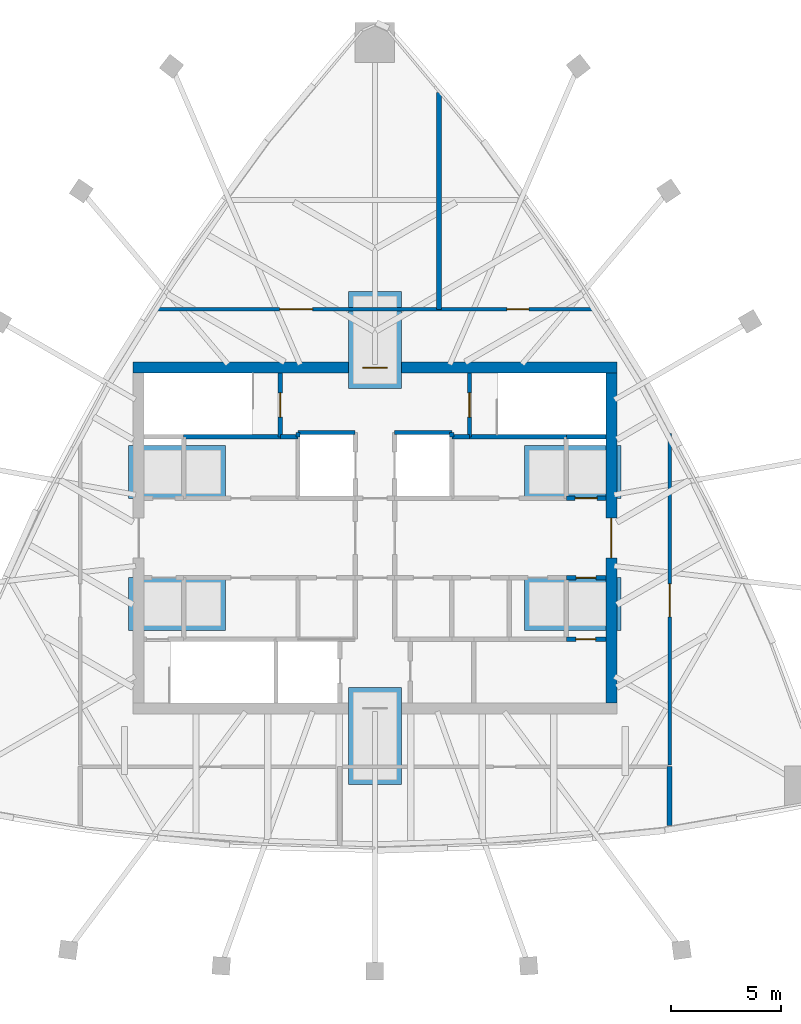
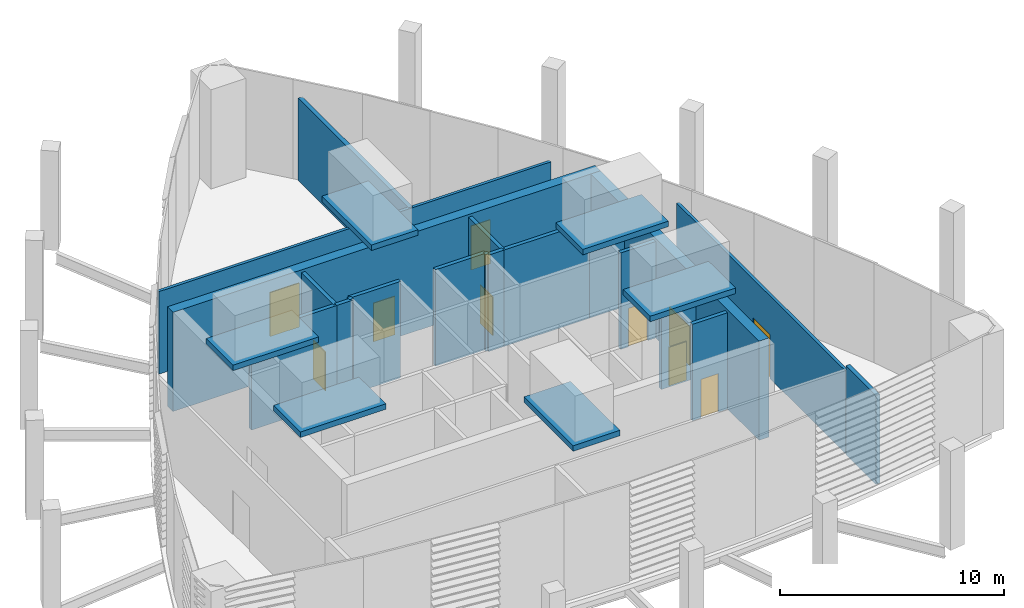
# One storey, part 4 of 8: 20 walls, 10 doors, 6 discrete accessories, 10 openings.
"""IFC4 building model written with IfcOpenShell, lengths in metres."""

from ifc_helpers import new_model, si_unit, direction, frame, frame_2d, origin, origin_2d, place, context, subcontext, project, spatial, rectangle, extrude, material, layer, layer_set, type_object, element, fill, save


model = new_model("IFC4")

# Units and contexts
model_context = context("Model", 3, precision=1e-05, world=origin(), true_north=direction((0.0, 1.0)))
body_context = subcontext(model_context, "Body", "Model", "MODEL_VIEW")
ifc_project = project(units=[si_unit("LENGTHUNIT", "METRE"), si_unit("AREAUNIT", "SQUARE_METRE"), si_unit("VOLUMEUNIT", "CUBIC_METRE"), si_unit("PLANEANGLEUNIT", "RADIAN"), si_unit("MASSUNIT", "GRAM", prefix="KILO")], contexts=[model_context])

# Site, building, storey
site_placement = place(None, origin())
site = spatial("IfcSite", under=ifc_project, at=site_placement, CompositionType="ELEMENT")
building_placement = place(site_placement, origin())
building = spatial("IfcBuilding", under=site, at=building_placement, Name="Sierra Prisma Convention Tower", CompositionType="ELEMENT")
storey_placement = place(building_placement, frame((0.0, 0.0, 355.60009765625)))
storey = spatial("IfcBuildingStorey", under=building, at=storey_placement, Name="L79", CompositionType="ELEMENT", Elevation=355.60009765625)

# Walls
ifc_material_1 = material(Name="Concrete C30/37", Category="concrete")
ifc_layer_1 = layer(ifc_material_1, 0.199951171875)
ifc_layer_set_1 = layer_set([ifc_layer_1], Name="Core wall RC 200 C30/37")
wall_type_1 = type_object("IfcWallType", Name="Core wall RC 200 C30/37", PredefinedType="SOLIDWALL", material=ifc_layer_set_1)
wall_1_placement = place(storey_placement, frame((-4.300048828125, 4.60009765625, 0.0), z_axis=(0.0, 0.0, 1.0), x_axis=(-1.0, 0.0, 0.0)))
element("IfcWall", 1, at=wall_1_placement, inside=storey, type_object=wall_type_1, Name="Core wall L79 10", PredefinedType="SOLIDWALL", context=body_context, shape_type="SweptSolid", body=[
    extrude(rectangle(XDim=4.39990234375, YDim=0.199951171875, at=frame_2d((2.199951171875, 0.0))), origin(), (0.0, 0.0, 1.0), 5.25),
])
wall_2_placement = place(storey_placement, frame((-3.5, 4.60009765625, 0.0), z_axis=(0.0, 0.0, 1.0), x_axis=(-1.0, 0.0, 0.0)))
element("IfcWall", 2, at=wall_2_placement, inside=storey, type_object=wall_type_1, Name="Core wall L79 13", PredefinedType="SOLIDWALL", context=body_context, shape_type="SweptSolid", body=[
    extrude(rectangle(XDim=0.800048828125, YDim=0.199951171875, at=frame_2d((0.39990234375, 0.0))), origin(), (0.0, 0.0, 1.0), 5.25),
])

# Wall, opening, door
wall_3_placement = place(storey_placement, frame((-4.300048828125, 4.60009765625, 0.0), z_axis=(0.0, 0.0, 1.0), x_axis=(0.0, 1.0, 0.0)))
wall_3 = element("IfcWall", 3, at=wall_3_placement, inside=storey, type_object=wall_type_1, Name="Core wall L79 14", PredefinedType="SOLIDWALL", context=body_context, shape_type="SweptSolid", body=[
    extrude(rectangle(XDim=2.89990234375, YDim=0.199951171875, at=frame_2d((1.449951171875, 0.0))), origin(), (0.0, 0.0, 1.0), 5.25),
])
opening_1_placement = place(wall_3_placement, frame((0.89990234375, 0.0, 0.0)))
opening_1 = element("IfcOpeningElement", 4, at=opening_1_placement, cuts=wall_3, Name="Opening L79-D012", PredefinedType="OPENING", context=body_context, shape_type="SweptSolid", body=[
    extrude(rectangle(XDim=1.10009765625, YDim=2.10009765625, at=frame_2d((0.550048828125, 1.050048828125))), frame((0.0, 0.10009765625, 0.0), z_axis=(0.0, -1.0, 0.0), x_axis=(1.0, 0.0, 0.0)), (0.0, 0.0, 1.0), 0.199951171875),
])
ifc_material_2 = material(Name="Steel fire door leaf", Category="steel")
door_type_1 = type_object("IfcDoorType", Name="Door 1100x2100 FD90S", OperationType="SINGLE_SWING_LEFT", PredefinedType="DOOR", material=ifc_material_2)
door_1_placement = place(opening_1_placement, origin())
door_1 = element("IfcDoor", 5, at=door_1_placement, inside=storey, type_object=door_type_1, Name="Door L79 18", OperationType="SINGLE_SWING_RIGHT", OverallHeight=2.10009765625, OverallWidth=1.10009765625, PredefinedType="DOOR", context=body_context, shape_type="SweptSolid", body=[
    extrude(rectangle(XDim=1.10009765625, YDim=2.10009765625, at=frame_2d((0.550048828125, 1.050048828125))), frame((0.0, 0.02490234375, 0.0), z_axis=(0.0, -1.0, 0.0), x_axis=(1.0, 0.0, 0.0)), (0.0, 0.0, 1.0), 0.050048828125),
])
fill(opening_1, door_1)

# Walls
wall_4_placement = place(storey_placement, frame((-0.89990234375, 4.800048828125, 0.0), z_axis=(0.0, 0.0, 1.0), x_axis=(-1.0, 0.0, 0.0)))
element("IfcWall", 6, at=wall_4_placement, inside=storey, type_object=wall_type_1, Name="Core wall L79 21", PredefinedType="SOLIDWALL", context=body_context, shape_type="SweptSolid", body=[
    extrude(rectangle(XDim=2.60009765625, YDim=0.199951171875, at=frame_2d((1.300048828125, 0.0))), origin(), (0.0, 0.0, 1.0), 5.25),
])
for number, where, z_axis, x_axis, name in (
    (7, (-3.5, 4.800048828125, 0.0), (0.0, 0.0, 1.0), (0.0, -1.0, 0.0), "Core wall L79 22"),
    (8, (3.5, 4.60009765625, 0.0), (0.0, 0.0, 1.0), (0.0, 1.0, 0.0), "Core wall L79 34"),
):
    element("IfcWall", number, at=place(storey_placement, frame(where, z_axis=z_axis, x_axis=x_axis)), inside=storey, type_object=wall_type_1, Name=name, PredefinedType="SOLIDWALL", context=body_context, shape_type="SweptSolid", body=[
        extrude(rectangle(XDim=0.199951171875, YDim=0.199951171875, at=frame_2d((0.10009765625, 0.0))), origin(), (0.0, 0.0, 1.0), 5.25),
    ])
wall_5_placement = place(storey_placement, frame((3.5, 4.800048828125, 0.0), z_axis=(0.0, 0.0, 1.0), x_axis=(-1.0, 0.0, 0.0)))
element("IfcWall", 9, at=wall_5_placement, inside=storey, type_object=wall_type_1, Name="Core wall L79 35", PredefinedType="SOLIDWALL", context=body_context, shape_type="SweptSolid", body=[
    extrude(rectangle(XDim=2.60009765625, YDim=0.199951171875, at=frame_2d((1.300048828125, 0.0))), origin(), (0.0, 0.0, 1.0), 5.25),
])
wall_6_placement = place(storey_placement, frame((4.300048828125, 4.60009765625, 0.0), z_axis=(0.0, 0.0, 1.0), x_axis=(-1.0, 0.0, 0.0)))
element("IfcWall", 10, at=wall_6_placement, inside=storey, type_object=wall_type_1, Name="Core wall L79 44", PredefinedType="SOLIDWALL", context=body_context, shape_type="SweptSolid", body=[
    extrude(rectangle(XDim=0.800048828125, YDim=0.199951171875, at=frame_2d((0.39990234375, 0.0))), origin(), (0.0, 0.0, 1.0), 5.25),
])
wall_7_placement = place(storey_placement, frame((8.699951171875, 4.60009765625, 0.0), z_axis=(0.0, 0.0, 1.0), x_axis=(-1.0, 0.0, 0.0)))
element("IfcWall", 11, at=wall_7_placement, inside=storey, type_object=wall_type_1, Name="Core wall L79 45", PredefinedType="SOLIDWALL", context=body_context, shape_type="SweptSolid", body=[
    extrude(rectangle(XDim=4.39990234375, YDim=0.199951171875, at=frame_2d((2.199951171875, 0.0))), origin(), (0.0, 0.0, 1.0), 5.25),
])

# Wall, opening, door
wall_8_placement = place(storey_placement, frame((4.300048828125, 7.5, 0.0), z_axis=(0.0, 0.0, 1.0), x_axis=(0.0, -1.0, 0.0)))
wall_8 = element("IfcWall", 12, at=wall_8_placement, inside=storey, type_object=wall_type_1, Name="Core wall L79 46", PredefinedType="SOLIDWALL", context=body_context, shape_type="SweptSolid", body=[
    extrude(rectangle(XDim=2.89990234375, YDim=0.199951171875, at=frame_2d((1.449951171875, 0.0))), origin(), (0.0, 0.0, 1.0), 5.25),
])
opening_2_placement = place(wall_8_placement, frame((0.89990234375, 0.0, 0.0)))
opening_2 = element("IfcOpeningElement", 13, at=opening_2_placement, cuts=wall_8, Name="Opening L79-D013", PredefinedType="OPENING", context=body_context, shape_type="SweptSolid", body=[
    extrude(rectangle(XDim=1.10009765625, YDim=2.10009765625, at=frame_2d((0.550048828125, 1.050048828125))), frame((0.0, 0.10009765625, 0.0), z_axis=(0.0, -1.0, 0.0), x_axis=(1.0, 0.0, 0.0)), (0.0, 0.0, 1.0), 0.199951171875),
])
door_2_placement = place(opening_2_placement, origin())
door_2 = element("IfcDoor", 14, at=door_2_placement, inside=storey, type_object=door_type_1, Name="Door L79 19", OperationType="SINGLE_SWING_RIGHT", OverallHeight=2.10009765625, OverallWidth=1.10009765625, PredefinedType="DOOR", context=body_context, shape_type="SweptSolid", body=[
    extrude(rectangle(XDim=1.10009765625, YDim=2.10009765625, at=frame_2d((0.550048828125, 1.050048828125))), frame((0.0, 0.02490234375, 0.0), z_axis=(0.0, -1.0, 0.0), x_axis=(1.0, 0.0, 0.0)), (0.0, 0.0, 1.0), 0.050048828125),
])
fill(opening_2, door_2)

wall_9_placement = place(storey_placement, frame((10.5, -4.60009765625, 0.0), z_axis=(0.0, 0.0, 1.0), x_axis=(-1.0, 0.0, 0.0)))
wall_9 = element("IfcWall", 15, at=wall_9_placement, inside=storey, type_object=wall_type_1, Name="Core wall L79 52", PredefinedType="SOLIDWALL", context=body_context, shape_type="SweptSolid", body=[
    extrude(rectangle(XDim=1.800048828125, YDim=0.199951171875, at=frame_2d((0.89990234375, 0.0))), origin(), (0.0, 0.0, 1.0), 5.25),
])
opening_3_placement = place(wall_9_placement, frame((0.4599609375, 0.0, 0.0)))
opening_3 = element("IfcOpeningElement", 16, at=opening_3_placement, cuts=wall_9, Name="Opening L79-D021", PredefinedType="OPENING", context=body_context, shape_type="SweptSolid", body=[
    extrude(rectangle(XDim=0.89990234375, YDim=2.10009765625, at=frame_2d((0.449951171875, 1.050048828125))), frame((0.0, 0.10009765625, 0.0), z_axis=(0.0, -1.0, 0.0), x_axis=(1.0, 0.0, 0.0)), (0.0, 0.0, 1.0), 0.199951171875),
])
ifc_material_3 = material(Name="Steel fire door leaf", Category="steel")
door_type_2 = type_object("IfcDoorType", Name="Door 900x2100 FD30S", OperationType="SINGLE_SWING_LEFT", PredefinedType="DOOR", material=ifc_material_3)
door_3_placement = place(opening_3_placement, origin())
door_3 = element("IfcDoor", 17, at=door_3_placement, inside=storey, type_object=door_type_2, Name="Door L79 27", OperationType="SINGLE_SWING_RIGHT", OverallHeight=2.10009765625, OverallWidth=0.89990234375, PredefinedType="DOOR", context=body_context, shape_type="SweptSolid", body=[
    extrude(rectangle(XDim=0.89990234375, YDim=2.10009765625, at=frame_2d((0.449951171875, 1.050048828125))), frame((0.0, 0.02490234375, 0.0), z_axis=(0.0, -1.0, 0.0), x_axis=(1.0, 0.0, 0.0)), (0.0, 0.0, 1.0), 0.050048828125),
])
fill(opening_3, door_3)

wall_10_placement = place(storey_placement, frame((8.699951171875, -1.800048828125, 0.0), z_axis=(0.0, 0.0, 1.0), x_axis=(1.0, 0.0, 0.0)))
wall_10 = element("IfcWall", 18, at=wall_10_placement, inside=storey, type_object=wall_type_1, Name="Core wall L79 54", PredefinedType="SOLIDWALL", context=body_context, shape_type="SweptSolid", body=[
    extrude(rectangle(XDim=1.800048828125, YDim=0.199951171875, at=frame_2d((0.89990234375, 0.0))), origin(), (0.0, 0.0, 1.0), 5.25),
])
opening_4_placement = place(wall_10_placement, frame((0.449951171875, 0.0, 0.0)))
opening_4 = element("IfcOpeningElement", 19, at=opening_4_placement, cuts=wall_10, Name="Opening L79-D022", PredefinedType="OPENING", context=body_context, shape_type="SweptSolid", body=[
    extrude(rectangle(XDim=0.89990234375, YDim=2.10009765625, at=frame_2d((0.449951171875, 1.050048828125))), frame((0.0, 0.10009765625, 0.0), z_axis=(0.0, -1.0, 0.0), x_axis=(1.0, 0.0, 0.0)), (0.0, 0.0, 1.0), 0.199951171875),
])
door_4_placement = place(opening_4_placement, origin())
door_4 = element("IfcDoor", 20, at=door_4_placement, inside=storey, type_object=door_type_2, Name="Door L79 28", OperationType="SINGLE_SWING_RIGHT", OverallHeight=2.10009765625, OverallWidth=0.89990234375, PredefinedType="DOOR", context=body_context, shape_type="SweptSolid", body=[
    extrude(rectangle(XDim=0.89990234375, YDim=2.10009765625, at=frame_2d((0.449951171875, 1.050048828125))), frame((0.0, 0.02490234375, 0.0), z_axis=(0.0, -1.0, 0.0), x_axis=(1.0, 0.0, 0.0)), (0.0, 0.0, 1.0), 0.050048828125),
])
fill(opening_4, door_4)

wall_11_placement = place(storey_placement, frame((10.5, 1.800048828125, 0.0), z_axis=(0.0, 0.0, 1.0), x_axis=(-1.0, 0.0, 0.0)))
wall_11 = element("IfcWall", 21, at=wall_11_placement, inside=storey, type_object=wall_type_1, Name="Core wall L79 55", PredefinedType="SOLIDWALL", context=body_context, shape_type="SweptSolid", body=[
    extrude(rectangle(XDim=1.800048828125, YDim=0.199951171875, at=frame_2d((0.89990234375, 0.0))), origin(), (0.0, 0.0, 1.0), 5.25),
])
opening_5_placement = place(wall_11_placement, frame((0.39990234375, 0.0, 0.0)))
opening_5 = element("IfcOpeningElement", 22, at=opening_5_placement, cuts=wall_11, Name="Opening L79-D010", PredefinedType="OPENING", context=body_context, shape_type="SweptSolid", body=[
    extrude(rectangle(XDim=1.0, YDim=2.10009765625, at=frame_2d((0.5, 1.050048828125))), frame((0.0, 0.10009765625, 0.0), z_axis=(0.0, -1.0, 0.0), x_axis=(1.0, 0.0, 0.0)), (0.0, 0.0, 1.0), 0.199951171875),
])
ifc_material_4 = material(Name="Steel fire door leaf", Category="steel")
door_type_3 = type_object("IfcDoorType", Name="Door 1000x2100 FD60S", OperationType="SINGLE_SWING_LEFT", PredefinedType="DOOR", material=ifc_material_4)
door_5_placement = place(opening_5_placement, origin())
door_5 = element("IfcDoor", 23, at=door_5_placement, inside=storey, type_object=door_type_3, Name="Door L79 16", OperationType="SINGLE_SWING_LEFT", OverallHeight=2.10009765625, OverallWidth=1.0, PredefinedType="DOOR", context=body_context, shape_type="SweptSolid", body=[
    extrude(rectangle(XDim=1.0, YDim=2.10009765625, at=frame_2d((0.5, 1.050048828125))), frame((0.0, 0.02490234375, 0.0), z_axis=(0.0, -1.0, 0.0), x_axis=(1.0, 0.0, 0.0)), (0.0, 0.0, 1.0), 0.050048828125),
])
fill(opening_5, door_5)

# Wall
wall_12_placement = place(storey_placement, frame((10.5, 4.60009765625, 0.0), z_axis=(0.0, 0.0, 1.0), x_axis=(-1.0, 0.0, 0.0)))
element("IfcWall", 24, at=wall_12_placement, inside=storey, type_object=wall_type_1, Name="Core wall L79 57", PredefinedType="SOLIDWALL", context=body_context, shape_type="SweptSolid", body=[
    extrude(rectangle(XDim=1.800048828125, YDim=0.199951171875, at=frame_2d((0.89990234375, 0.0))), origin(), (0.0, 0.0, 1.0), 5.25),
])

# Wall, opening, door
ifc_material_5 = material(Name="Concrete C50/60", Category="concrete")
ifc_layer_2 = layer(ifc_material_5, 0.5)
ifc_layer_set_2 = layer_set([ifc_layer_2], Name="Core wall RC 500 C50/60")
wall_type_2 = type_object("IfcWallType", Name="Core wall RC 500 C50/60", PredefinedType="SHEAR", material=ifc_layer_set_2)
wall_13_placement = place(storey_placement, frame((-11.0, 7.75, 0.0), z_axis=(0.0, 0.0, 1.0), x_axis=(1.0, 0.0, 0.0)))
wall_13 = element("IfcWall", 25, at=wall_13_placement, inside=storey, type_object=wall_type_2, Name="Core wall N L79", PredefinedType="SHEAR", context=body_context, shape_type="SweptSolid", body=[
    extrude(rectangle(XDim=22.0, YDim=0.5, at=frame_2d((11.0, 0.0))), origin(), (0.0, 0.0, 1.0), 5.39990234375),
])
opening_6_placement = place(wall_13_placement, frame((10.449951171875, 0.0, 0.0)))
opening_6 = element("IfcOpeningElement", 26, at=opening_6_placement, cuts=wall_13, Name="Opening L79-D031", PredefinedType="OPENING", context=body_context, shape_type="SweptSolid", body=[
    extrude(rectangle(XDim=1.10009765625, YDim=2.10009765625, at=frame_2d((0.550048828125, 1.050048828125))), frame((0.0, 0.25, 0.0), z_axis=(0.0, -1.0, 0.0), x_axis=(1.0, 0.0, 0.0)), (0.0, 0.0, 1.0), 0.5),
])
ifc_material_6 = material(Name="Steel fire door leaf", Category="steel")
door_type_4 = type_object("IfcDoorType", Name="Door 1100x2100 FD60S", OperationType="SINGLE_SWING_LEFT", PredefinedType="DOOR", material=ifc_material_6)
door_6_placement = place(opening_6_placement, origin())
door_6 = element("IfcDoor", 27, at=door_6_placement, inside=storey, type_object=door_type_4, Name="Door L79 32", OperationType="SINGLE_SWING_LEFT", OverallHeight=2.10009765625, OverallWidth=1.10009765625, PredefinedType="DOOR", context=body_context, shape_type="SweptSolid", body=[
    extrude(rectangle(XDim=1.10009765625, YDim=2.10009765625, at=frame_2d((0.550048828125, 1.050048828125))), frame((0.0, 0.02490234375, 0.0), z_axis=(0.0, -1.0, 0.0), x_axis=(1.0, 0.0, 0.0)), (0.0, 0.0, 1.0), 0.050048828125),
])
fill(opening_6, door_6)

wall_14_placement = place(storey_placement, frame((10.75, -7.5, 0.0), z_axis=(0.0, 0.0, 1.0), x_axis=(0.0, 1.0, 0.0)))
wall_14 = element("IfcWall", 28, at=wall_14_placement, inside=storey, type_object=wall_type_2, Name="Core wall E L79", PredefinedType="SHEAR", context=body_context, shape_type="SweptSolid", body=[
    extrude(rectangle(XDim=15.0, YDim=0.5, at=frame_2d((7.5, 0.0))), origin(), (0.0, 0.0, 1.0), 5.39990234375),
])
opening_7_placement = place(wall_14_placement, frame((6.60009765625, 0.0, 0.0)))
opening_7 = element("IfcOpeningElement", 29, at=opening_7_placement, cuts=wall_14, Name="Opening L79-D030", PredefinedType="OPENING", context=body_context, shape_type="SweptSolid", body=[
    extrude(rectangle(XDim=1.800048828125, YDim=2.10009765625, at=frame_2d((0.89990234375, 1.050048828125))), frame((0.0, 0.25, 0.0), z_axis=(0.0, -1.0, 0.0), x_axis=(1.0, 0.0, 0.0)), (0.0, 0.0, 1.0), 0.5),
])
ifc_material_7 = material(Name="Steel fire door leaf", Category="steel")
door_type_5 = type_object("IfcDoorType", Name="Door 1800x2100 FD60S", OperationType="DOUBLE_DOOR_SINGLE_SWING", PredefinedType="DOOR", material=ifc_material_7)
door_7_placement = place(opening_7_placement, origin())
door_7 = element("IfcDoor", 30, at=door_7_placement, inside=storey, type_object=door_type_5, Name="Door L79 31", OperationType="DOUBLE_DOOR_SINGLE_SWING", OverallHeight=2.10009765625, OverallWidth=1.800048828125, PredefinedType="DOOR", context=body_context, shape_type="SweptSolid", body=[
    extrude(rectangle(XDim=1.800048828125, YDim=2.10009765625, at=frame_2d((0.89990234375, 1.050048828125))), frame((0.0, 0.02490234375, 0.0), z_axis=(0.0, -1.0, 0.0), x_axis=(1.0, 0.0, 0.0)), (0.0, 0.0, 1.0), 0.050048828125),
])
fill(opening_7, door_7)

# Wall, openings, doors
ifc_material_8 = material(Name="Gypsum board partition", Category="gypsum")
ifc_layer_3 = layer(ifc_material_8, 0.14990234375)
ifc_layer_set_3 = layer_set([ifc_layer_3], Name="Corridor wall 150 gypsum EI 60")
wall_type_3 = type_object("IfcWallType", Name="Corridor wall 150 gypsum EI 60", PredefinedType="PARTITIONING", material=ifc_layer_set_3)
wall_15_placement = place(storey_placement, frame((10.08935546875, 10.39990234375, 0.0), z_axis=(0.0, 0.0, 1.0), x_axis=(-1.0, 0.0, 0.0)))
wall_15 = element("IfcWall", 31, at=wall_15_placement, inside=storey, type_object=wall_type_3, Name="Partition L79 corr 3", PredefinedType="PARTITIONING", context=body_context, shape_type="SweptSolid", body=[
    extrude(rectangle(XDim=20.1787109375, YDim=0.14990234375, at=frame_2d((10.08935546875, 0.0))), origin(), (0.0, 0.0, 1.0), 4.496826171875),
])
opening_8_placement = place(wall_15_placement, frame((3.08935546875, 0.0, 0.0)))
opening_8 = element("IfcOpeningElement", 32, at=opening_8_placement, cuts=wall_15, Name="Opening L79-D024", PredefinedType="OPENING", context=body_context, shape_type="SweptSolid", body=[
    extrude(rectangle(XDim=1.0, YDim=2.39990234375, at=frame_2d((0.5, 1.199951171875))), frame((0.0, 0.074951171875, 0.0), z_axis=(0.0, -1.0, 0.0), x_axis=(1.0, 0.0, 0.0)), (0.0, 0.0, 1.0), 0.14990234375),
])
opening_9_placement = place(wall_15_placement, frame((12.9287109375, 0.0, 0.0)))
opening_9 = element("IfcOpeningElement", 33, at=opening_9_placement, cuts=wall_15, Name="Opening L79-D025", PredefinedType="OPENING", context=body_context, shape_type="SweptSolid", body=[
    extrude(rectangle(XDim=1.5, YDim=2.39990234375, at=frame_2d((0.75, 1.199951171875))), frame((0.0, 0.074951171875, 0.0), z_axis=(0.0, -1.0, 0.0), x_axis=(1.0, 0.0, 0.0)), (0.0, 0.0, 1.0), 0.14990234375),
])
ifc_material_9 = material(Name="Steel fire door leaf", Category="steel")
door_type_6 = type_object("IfcDoorType", Name="Door 1000x2400 FD60S", OperationType="SINGLE_SWING_LEFT", PredefinedType="DOOR", material=ifc_material_9)
door_8_placement = place(opening_8_placement, origin())
door_8 = element("IfcDoor", 34, at=door_8_placement, inside=storey, type_object=door_type_6, Name="Door L79 1", OperationType="SINGLE_SWING_RIGHT", OverallHeight=2.39990234375, OverallWidth=1.0, PredefinedType="DOOR", context=body_context, shape_type="SweptSolid", body=[
    extrude(rectangle(XDim=1.0, YDim=2.39990234375, at=frame_2d((0.5, 1.199951171875))), frame((0.0, 0.02490234375, 0.0), z_axis=(0.0, -1.0, 0.0), x_axis=(1.0, 0.0, 0.0)), (0.0, 0.0, 1.0), 0.050048828125),
])
fill(opening_8, door_8)
ifc_material_10 = material(Name="Steel fire door leaf", Category="steel")
door_type_7 = type_object("IfcDoorType", Name="Door 1500x2400 FD60S", OperationType="DOUBLE_DOOR_SINGLE_SWING", PredefinedType="DOOR", material=ifc_material_10)
door_9_placement = place(opening_9_placement, origin())
door_9 = element("IfcDoor", 35, at=door_9_placement, inside=storey, type_object=door_type_7, Name="Door L79 2", OperationType="DOUBLE_DOOR_SINGLE_SWING", OverallHeight=2.39990234375, OverallWidth=1.5, PredefinedType="DOOR", context=body_context, shape_type="SweptSolid", body=[
    extrude(rectangle(XDim=1.5, YDim=2.39990234375, at=frame_2d((0.75, 1.199951171875))), frame((0.0, 0.02490234375, 0.0), z_axis=(0.0, -1.0, 0.0), x_axis=(1.0, 0.0, 0.0)), (0.0, 0.0, 1.0), 0.050048828125),
])
fill(opening_9, door_9)

# Wall, opening, door
wall_16_placement = place(storey_placement, frame((13.39990234375, -10.320068359375, 0.0), z_axis=(0.0, 0.0, 1.0), x_axis=(0.0, 1.0, 0.0)))
wall_16 = element("IfcWall", 36, at=wall_16_placement, inside=storey, type_object=wall_type_3, Name="Partition L79 corr 4", PredefinedType="PARTITIONING", context=body_context, shape_type="SweptSolid", body=[
    extrude(rectangle(XDim=15.07177734375, YDim=0.14990234375, at=frame_2d((7.535888671875, 0.0))), origin(), (0.0, 0.0, 1.0), 4.496826171875),
])
opening_10_placement = place(wall_16_placement, frame((6.73583984375, 0.0, 0.0)))
opening_10 = element("IfcOpeningElement", 37, at=opening_10_placement, cuts=wall_16, Name="Opening L79-D029", PredefinedType="OPENING", context=body_context, shape_type="SweptSolid", body=[
    extrude(rectangle(XDim=1.5, YDim=2.39990234375, at=frame_2d((0.75, 1.199951171875))), frame((0.0, 0.074951171875, 0.0), z_axis=(0.0, -1.0, 0.0), x_axis=(1.0, 0.0, 0.0)), (0.0, 0.0, 1.0), 0.14990234375),
])
door_10_placement = place(opening_10_placement, origin())
door_10 = element("IfcDoor", 38, at=door_10_placement, inside=storey, type_object=door_type_7, Name="Door L79 6", OperationType="DOUBLE_DOOR_SINGLE_SWING", OverallHeight=2.39990234375, OverallWidth=1.5, PredefinedType="DOOR", context=body_context, shape_type="SweptSolid", body=[
    extrude(rectangle(XDim=1.5, YDim=2.39990234375, at=frame_2d((0.75, 1.199951171875))), frame((0.0, 0.02490234375, 0.0), z_axis=(0.0, -1.0, 0.0), x_axis=(1.0, 0.0, 0.0)), (0.0, 0.0, 1.0), 0.050048828125),
])
fill(opening_10, door_10)

# Walls
ifc_material_11 = material(Name="Hollow clay block masonry", Category="masonry")
ifc_layer_4 = layer(ifc_material_11, 0.215087890625)
ifc_layer_set_4 = layer_set([ifc_layer_4], Name="Plant room wall 215 blockwork EI 120")
wall_type_4 = type_object("IfcWallType", Name="Plant room wall 215 blockwork EI 120", PredefinedType="PARTITIONING", material=ifc_layer_set_4)
wall_17_placement = place(storey_placement, frame((2.91064453125, 10.39990234375, 0.0), z_axis=(0.0, 0.0, 1.0), x_axis=(0.0, 1.0, 0.0)))
element("IfcWall", 39, at=wall_17_placement, inside=storey, type_object=wall_type_4, Name="Partition L79 plant 3", PredefinedType="PARTITIONING", context=body_context, shape_type="SweptSolid", body=[
    extrude(rectangle(XDim=9.858642578125, YDim=0.215087890625, at=frame_2d((4.92919921875, 0.0))), origin(), (0.0, 0.0, 1.0), 4.496826171875),
])
wall_18_placement = place(storey_placement, frame((13.39990234375, -10.39990234375, 0.0), z_axis=(0.0, 0.0, 1.0), x_axis=(0.0, -1.0, 0.0)))
element("IfcWall", 40, at=wall_18_placement, inside=storey, type_object=wall_type_4, Name="Partition L79 plant 4", PredefinedType="PARTITIONING", context=body_context, shape_type="SweptSolid", body=[
    extrude(rectangle(XDim=2.67041015625, YDim=0.215087890625, at=frame_2d((1.335205078125, 0.0))), origin(), (0.0, 0.0, 1.0), 4.849853515625),
])

# Discrete accessories
ifc_material_12 = material(Name="Concrete C40/50", Category="concrete")
discrete_accessory_type = type_object("IfcDiscreteAccessoryType", Name="Plant plinth", PredefinedType="USERDEFINED", material=ifc_material_12)
for number, where, z_axis, x_axis, name in (
    (41, (-9.0, 3.0, 5.75), (0.0, 0.0, 1.0), (1.0, 0.0, 0.0), "Plant plinth 1"),
    (42, (-9.0, -3.0, 5.75), (0.0, 0.0, 1.0), (1.0, 0.0, 0.0), "Plant plinth 2"),
    (43, (9.0, 3.0, 5.75), (0.0, 0.0, 1.0), (1.0, 0.0, 0.0), "Plant plinth 3"),
    (44, (9.0, -3.0, 5.75), (0.0, 0.0, 1.0), (1.0, 0.0, 0.0), "Plant plinth 4"),
    (45, (0.0, 9.0, 5.75), (0.0, 0.0, 1.0), (0.0, 1.0, 0.0), "Plant plinth 5"),
    (46, (0.0, -9.0, 5.75), (0.0, 0.0, 1.0), (0.0, 1.0, 0.0), "Plant plinth 6"),
):
    element("IfcDiscreteAccessory", number, at=place(storey_placement, frame(where, z_axis=z_axis, x_axis=x_axis)), inside=storey, type_object=discrete_accessory_type, Name=name, ObjectType="PLANT PLINTH", PredefinedType="USERDEFINED", context=body_context, shape_type="SweptSolid", body=[
        extrude(rectangle(XDim=4.39990234375, YDim=2.39990234375, at=origin_2d()), origin(), (0.0, 0.0, 1.0), 0.300048828125),
    ])

save(model, "model.ifc")
